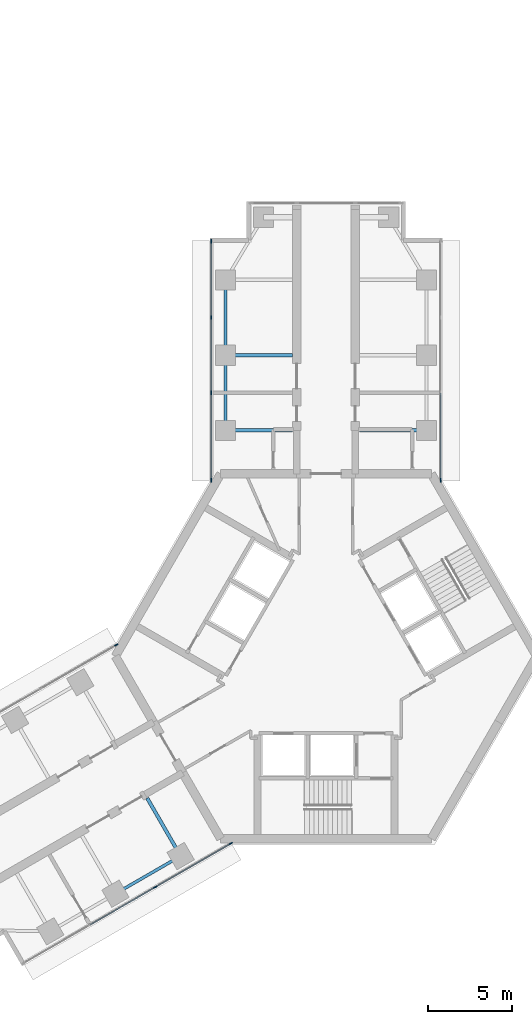
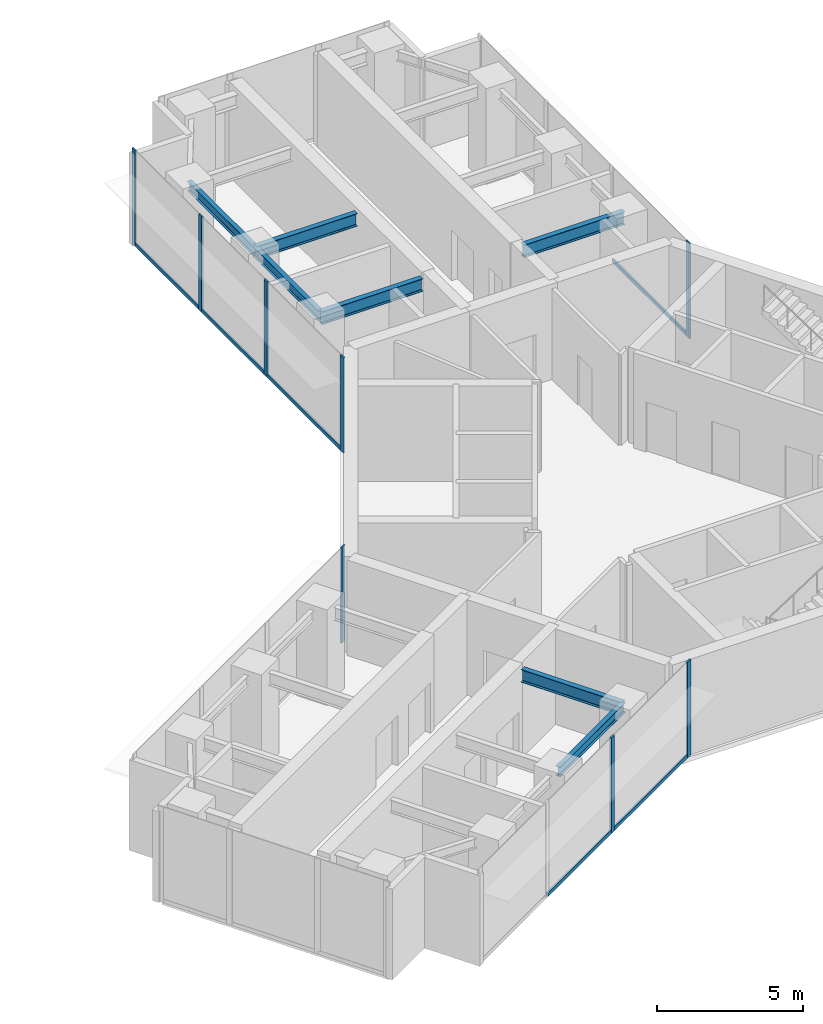
# One storey, part 8 of 17: 14 members, 7 beams, 4 elements without a shape of their own.
"""IFC4 building model written with IfcOpenShell, lengths in metres."""

from ifc_helpers import new_model, si_unit, direction, frame, origin, origin_2d, place, context, subcontext, project, spatial, rectangle, i_section, extrude, material, material_profile, profile_set, type_object, element, aggregate, save


model = new_model("IFC4")

# Units and contexts
model_context = context("Model", 3, precision=1e-05, world=origin(), true_north=direction((0.0, 1.0)))
body_context = subcontext(model_context, "Body", "Model", "MODEL_VIEW")
ifc_project = project(units=[si_unit("LENGTHUNIT", "METRE"), si_unit("AREAUNIT", "SQUARE_METRE"), si_unit("VOLUMEUNIT", "CUBIC_METRE"), si_unit("PLANEANGLEUNIT", "RADIAN"), si_unit("MASSUNIT", "GRAM", prefix="KILO")], contexts=[model_context])

# Site, building, storey
site_placement = place(None, origin())
site = spatial("IfcSite", under=ifc_project, at=site_placement, CompositionType="ELEMENT")
building_placement = place(site_placement, origin())
building = spatial("IfcBuilding", under=site, at=building_placement, Name="Upepo Twin Towers", CompositionType="ELEMENT")
storey_placement = place(building_placement, frame((0.0, 0.0, 178.5)))
storey = spatial("IfcBuildingStorey", under=building, at=storey_placement, Name="L43", CompositionType="ELEMENT", Elevation=178.5)

# Beams
ifc_material_1 = material(Name="Steel S355", Category="steel")
ifc_material_profile_1 = material_profile(ifc_material_1, i_section(OverallWidth=0.177978515625, OverallDepth=0.406494140625, WebThickness=0.0078125, FlangeThickness=0.0126953125, FilletRadius=0.01025390625, at=origin_2d()), Name="UB 406x178x60")
ifc_profile_set_1 = profile_set([ifc_material_profile_1], Name="Steel S355")
beam_type_1 = type_object("IfcBeamType", Name="Beam UB 406x178x60", PredefinedType="BEAM", material=ifc_profile_set_1)
for number, where, z_axis, x_axis, name in (
    (1, (52.5, -4.5, 3.5966796875), (0.0, 1.0, 0.0), (-1.0, 0.0, 0.0), "T2 edge beam AL 13.5-18.0"),
    (2, (52.5, 0.0, 3.5966796875), (0.0, 1.0, 0.0), (-1.0, 0.0, 0.0), "T2 edge beam AL 18.0-22.5"),
):
    element("IfcBeam", number, at=place(storey_placement, frame(where, z_axis=z_axis, x_axis=x_axis)), inside=storey, type_object=beam_type_1, Name=name, PredefinedType="BEAM", context=body_context, shape_type="SweptSolid", body=[
        extrude(i_section(OverallWidth=0.177978515625, OverallDepth=0.406494140625, WebThickness=0.0078125, FlangeThickness=0.0126953125, FilletRadius=0.01025390625, at=origin_2d()), origin(), (0.0, 0.0, 1.0), 4.5),
    ])
beam_placement = place(storey_placement, frame((49.80859375, -29.946044921875, 3.5966796875), z_axis=(-0.866017533419, -0.500013631625, 0.0), x_axis=(0.500013631625, -0.866017533419, 0.0)))
element("IfcBeam", 3, at=beam_placement, inside=storey, type_object=beam_type_1, Name="T2 edge beam BL 13.5-18.0", PredefinedType="BEAM", context=body_context, shape_type="SweptSolid", body=[
    extrude(i_section(OverallWidth=0.177978515625, OverallDepth=0.406494140625, WebThickness=0.0078125, FlangeThickness=0.0126953125, FilletRadius=0.01025390625, at=origin_2d()), origin(), (0.0, 0.0, 1.0), 4.499755859375),
])
ifc_material_2 = material(Name="Steel S355", Category="steel")
ifc_material_profile_2 = material_profile(ifc_material_2, i_section(OverallWidth=0.209228515625, OverallDepth=0.533203125, WebThickness=0.010009765625, FlangeThickness=0.015625, FilletRadius=0.0126953125, at=origin_2d()), Name="UB 533x210x92")
ifc_profile_set_2 = profile_set([ifc_material_profile_2], Name="Steel S355")
beam_type_2 = type_object("IfcBeamType", Name="Beam UB 533x210x92", PredefinedType="BEAM", material=ifc_profile_set_2)
for number, where, z_axis, x_axis, name in (
    (4, (52.5, -4.5, 3.533447265625), (1.0, 0.0, 0.0), (0.0, 1.0, 0.0), "T2 girder AL at 13.5"),
    (5, (52.5, 0.0, 3.533447265625), (1.0, 0.0, 0.0), (0.0, 1.0, 0.0), "T2 girder AL at 18.0"),
    (6, (64.5, -4.5, 3.533447265625), (-1.0, 0.0, 0.0), (0.0, -1.0, 0.0), "T2 girder AR at 13.5"),
    (7, (49.80859375, -29.946044921875, 3.533447265625), (-0.49999894854, 0.866026010844, 0.0), (-0.866026010844, -0.49999894854, 0.0), "T2 girder BL at 13.5"),
):
    element("IfcBeam", number, at=place(storey_placement, frame(where, z_axis=z_axis, x_axis=x_axis)), inside=storey, type_object=beam_type_2, Name=name, PredefinedType="BEAM", context=body_context, shape_type="SweptSolid", body=[
        extrude(i_section(OverallWidth=0.209228515625, OverallDepth=0.533203125, WebThickness=0.010009765625, FlangeThickness=0.015625, FilletRadius=0.0126953125, at=origin_2d()), origin(), (0.0, 0.0, 1.0), 4.0),
    ])

# Curtain wall, members
ifc_material_3 = material(Name="Aluminium and fritted glass", Category="aluminium")
curtain_wall_type = type_object("IfcCurtainWallType", Name="Tower curtain wall TW3, fritted glass", PredefinedType="NOTDEFINED", material=ifc_material_3)
curtain_wall_1_placement = place(storey_placement, origin())
curtain_wall_1 = element("IfcCurtainWall", 8, at=curtain_wall_1_placement, inside=storey, type_object=curtain_wall_type, Name="T2 L43 wing A flank L curtain wall", PredefinedType="NOTDEFINED")
ifc_material_4 = material(Name="Aluminium mullion", Category="aluminium")
ifc_material_profile_3 = material_profile(ifc_material_4, rectangle(XDim=0.06494140625, YDim=0.22509765625, at=origin_2d()), Name="MULLION 65x225")
ifc_profile_set_3 = profile_set([ifc_material_profile_3], Name="Aluminium mullion")
member_type_1 = type_object("IfcMemberType", Name="Mullion 65x225 TW3", PredefinedType="MULLION", material=ifc_profile_set_3)
member_1_placement = place(storey_placement, frame((51.64990234375, -7.48046875, 0.0), z_axis=(0.0, 0.0, 1.0), x_axis=(-1.0, 0.0, 0.0)))
member_1 = element("IfcMember", 9, at=member_1_placement, type_object=member_type_1, Name="T2 L43 wing A flank L curtain wall mullion 1", PredefinedType="MULLION", context=body_context, shape_type="SweptSolid", body=[
    extrude(rectangle(XDim=0.06494140625, YDim=0.22509765625, at=origin_2d()), origin(), (0.0, 0.0, 1.0), 4.0),
])
member_2_placement = place(storey_placement, frame((51.64990234375, -2.25, 0.0), z_axis=(0.0, 0.0, 1.0), x_axis=(-1.0, 0.0, 0.0)))
member_2 = element("IfcMember", 10, at=member_2_placement, type_object=member_type_1, Name="T2 L43 wing A flank L curtain wall mullion 2", PredefinedType="MULLION", context=body_context, shape_type="SweptSolid", body=[
    extrude(rectangle(XDim=0.06494140625, YDim=0.22509765625, at=origin_2d()), origin(), (0.0, 0.0, 1.0), 4.0),
])
member_3_placement = place(storey_placement, frame((51.64990234375, 2.25, 0.0), z_axis=(0.0, 0.0, 1.0), x_axis=(-1.0, 0.0, 0.0)))
member_3 = element("IfcMember", 11, at=member_3_placement, type_object=member_type_1, Name="T2 L43 wing A flank L curtain wall mullion 3", PredefinedType="MULLION", context=body_context, shape_type="SweptSolid", body=[
    extrude(rectangle(XDim=0.06494140625, YDim=0.22509765625, at=origin_2d()), origin(), (0.0, 0.0, 1.0), 4.0),
])
member_4_placement = place(storey_placement, frame((51.64990234375, 6.8173828125, 0.0), z_axis=(0.0, 0.0, 1.0), x_axis=(-1.0, 0.0, 0.0)))
member_4 = element("IfcMember", 12, at=member_4_placement, type_object=member_type_1, Name="T2 L43 wing A flank L curtain wall mullion 4", PredefinedType="MULLION", context=body_context, shape_type="SweptSolid", body=[
    extrude(rectangle(XDim=0.06494140625, YDim=0.22509765625, at=origin_2d()), origin(), (0.0, 0.0, 1.0), 4.0),
])

# Curtain wall, member
curtain_wall_2_placement = place(storey_placement, origin())
curtain_wall_2 = element("IfcCurtainWall", 13, at=curtain_wall_2_placement, inside=storey, type_object=curtain_wall_type, Name="T2 L43 wing A flank R curtain wall", PredefinedType="NOTDEFINED")
member_5_placement = place(storey_placement, frame((65.35009765625, -7.48046875, 0.0), z_axis=(0.0, 0.0, 1.0), x_axis=(1.0, 0.0, 0.0)))
member_5 = element("IfcMember", 14, at=member_5_placement, type_object=member_type_1, Name="T2 L43 wing A flank R curtain wall mullion 4", PredefinedType="MULLION", context=body_context, shape_type="SweptSolid", body=[
    extrude(rectangle(XDim=0.06494140625, YDim=0.22509765625, at=origin_2d()), origin(), (0.0, 0.0, 1.0), 4.0),
])

# Curtain wall, members
curtain_wall_3_placement = place(storey_placement, origin())
curtain_wall_3 = element("IfcCurtainWall", 15, at=curtain_wall_3_placement, inside=storey, type_object=curtain_wall_type, Name="T2 L43 wing B flank L curtain wall", PredefinedType="NOTDEFINED")
member_6_placement = place(storey_placement, frame((52.814697265625, -29.192138671875, 0.0), z_axis=(0.0, 0.0, 1.0), x_axis=(0.500000026527, -0.866025388469, 0.0)))
member_6 = element("IfcMember", 16, at=member_6_placement, type_object=member_type_1, Name="T2 L43 wing B flank L curtain wall mullion 1", PredefinedType="MULLION", context=body_context, shape_type="SweptSolid", body=[
    extrude(rectangle(XDim=0.06494140625, YDim=0.22509765625, at=origin_2d()), origin(), (0.0, 0.0, 1.0), 4.0),
])
member_7_placement = place(storey_placement, frame((48.28515625, -31.807373046875, 0.0), z_axis=(0.0, 0.0, 1.0), x_axis=(0.500000026527, -0.866025388469, 0.0)))
member_7 = element("IfcMember", 17, at=member_7_placement, type_object=member_type_1, Name="T2 L43 wing B flank L curtain wall mullion 2", PredefinedType="MULLION", context=body_context, shape_type="SweptSolid", body=[
    extrude(rectangle(XDim=0.06494140625, YDim=0.22509765625, at=origin_2d()), origin(), (0.0, 0.0, 1.0), 4.0),
])

# Curtain wall, member
curtain_wall_4_placement = place(storey_placement, origin())
curtain_wall_4 = element("IfcCurtainWall", 18, at=curtain_wall_4_placement, inside=storey, type_object=curtain_wall_type, Name="T2 L43 wing B flank R curtain wall", PredefinedType="NOTDEFINED")
member_8_placement = place(storey_placement, frame((45.96484375, -17.32763671875, 0.0), z_axis=(0.0, 0.0, 1.0), x_axis=(-0.500000026527, 0.866025388469, 0.0)))
member_8 = element("IfcMember", 19, at=member_8_placement, type_object=member_type_1, Name="T2 L43 wing B flank R curtain wall mullion 4", PredefinedType="MULLION", context=body_context, shape_type="SweptSolid", body=[
    extrude(rectangle(XDim=0.06494140625, YDim=0.22509765625, at=origin_2d()), origin(), (0.0, 0.0, 1.0), 4.0),
])
aggregate(curtain_wall_4, [member_8])

# Member
ifc_material_5 = material(Name="Aluminium transom", Category="aluminium")
ifc_material_profile_4 = material_profile(ifc_material_5, rectangle(XDim=0.06494140625, YDim=0.14990234375, at=origin_2d()), Name="TRANSOM 65x150")
ifc_profile_set_4 = profile_set([ifc_material_profile_4], Name="Aluminium transom")
member_type_2 = type_object("IfcMemberType", Name="Transom 65x150 TW3", PredefinedType="USERDEFINED", material=ifc_profile_set_4)
member_9_placement = place(storey_placement, frame((51.64990234375, -7.447998046875, 0.074951171875), z_axis=(0.0, 1.0, 0.0), x_axis=(-1.0, 0.0, 0.0)))
member_9 = element("IfcMember", 20, at=member_9_placement, type_object=member_type_2, Name="T2 L43 wing A flank L curtain wall transom 1", ObjectType="TRANSOM", PredefinedType="USERDEFINED", context=body_context, shape_type="SweptSolid", body=[
    extrude(rectangle(XDim=0.06494140625, YDim=0.14990234375, at=origin_2d()), origin(), (0.0, 0.0, 1.0), 5.16552734375),
])

member_10_placement = place(storey_placement, frame((51.64990234375, -2.217529296875, 0.074951171875), z_axis=(0.0, 1.0, 0.0), x_axis=(-1.0, 0.0, 0.0)))
member_10 = element("IfcMember", 21, at=member_10_placement, type_object=member_type_2, Name="T2 L43 wing A flank L curtain wall transom 2", ObjectType="TRANSOM", PredefinedType="USERDEFINED", context=body_context, shape_type="SweptSolid", body=[
    extrude(rectangle(XDim=0.06494140625, YDim=0.14990234375, at=origin_2d()), origin(), (0.0, 0.0, 1.0), 4.43505859375),
])

member_11_placement = place(storey_placement, frame((51.64990234375, 2.282470703125, 0.074951171875), z_axis=(0.0, 1.0, 0.0), x_axis=(-1.0, 0.0, 0.0)))
member_11 = element("IfcMember", 22, at=member_11_placement, type_object=member_type_2, Name="T2 L43 wing A flank L curtain wall transom 3", ObjectType="TRANSOM", PredefinedType="USERDEFINED", context=body_context, shape_type="SweptSolid", body=[
    extrude(rectangle(XDim=0.06494140625, YDim=0.14990234375, at=origin_2d()), origin(), (0.0, 0.0, 1.0), 4.50244140625),
])

aggregate(curtain_wall_1, [member_1, member_2, member_3, member_4, member_9, member_10, member_11])

member_12_placement = place(storey_placement, frame((65.35009765625, -2.282470703125, 0.074951171875), z_axis=(0.0, -1.0, 0.0), x_axis=(1.0, 0.0, 0.0)))
member_12 = element("IfcMember", 23, at=member_12_placement, type_object=member_type_2, Name="T2 L43 wing A flank R curtain wall transom 3", ObjectType="TRANSOM", PredefinedType="USERDEFINED", context=body_context, shape_type="SweptSolid", body=[
    extrude(rectangle(XDim=0.06494140625, YDim=0.14990234375, at=origin_2d()), origin(), (0.0, 0.0, 1.0), 5.16552734375),
])

aggregate(curtain_wall_2, [member_5, member_12])

member_13_placement = place(storey_placement, frame((52.78662109375, -29.208251953125, 0.074951171875), z_axis=(-0.86602108507, -0.500007480159, 0.0), x_axis=(0.500007480159, -0.86602108507, 0.0)))
member_13 = element("IfcMember", 24, at=member_13_placement, type_object=member_type_2, Name="T2 L43 wing B flank L curtain wall transom 1", ObjectType="TRANSOM", PredefinedType="USERDEFINED", context=body_context, shape_type="SweptSolid", body=[
    extrude(rectangle(XDim=0.06494140625, YDim=0.14990234375, at=origin_2d()), origin(), (0.0, 0.0, 1.0), 5.16552734375),
])

member_14_placement = place(storey_placement, frame((48.2568359375, -31.823486328125, 0.074951171875), z_axis=(-0.866022410713, -0.500005184116, 0.0), x_axis=(0.500005184116, -0.866022410713, 0.0)))
member_14 = element("IfcMember", 25, at=member_14_placement, type_object=member_type_2, Name="T2 L43 wing B flank L curtain wall transom 2", ObjectType="TRANSOM", PredefinedType="USERDEFINED", context=body_context, shape_type="SweptSolid", body=[
    extrude(rectangle(XDim=0.06494140625, YDim=0.14990234375, at=origin_2d()), origin(), (0.0, 0.0, 1.0), 4.43505859375),
])

aggregate(curtain_wall_3, [member_6, member_7, member_13, member_14])

save(model, "model.ifc")
